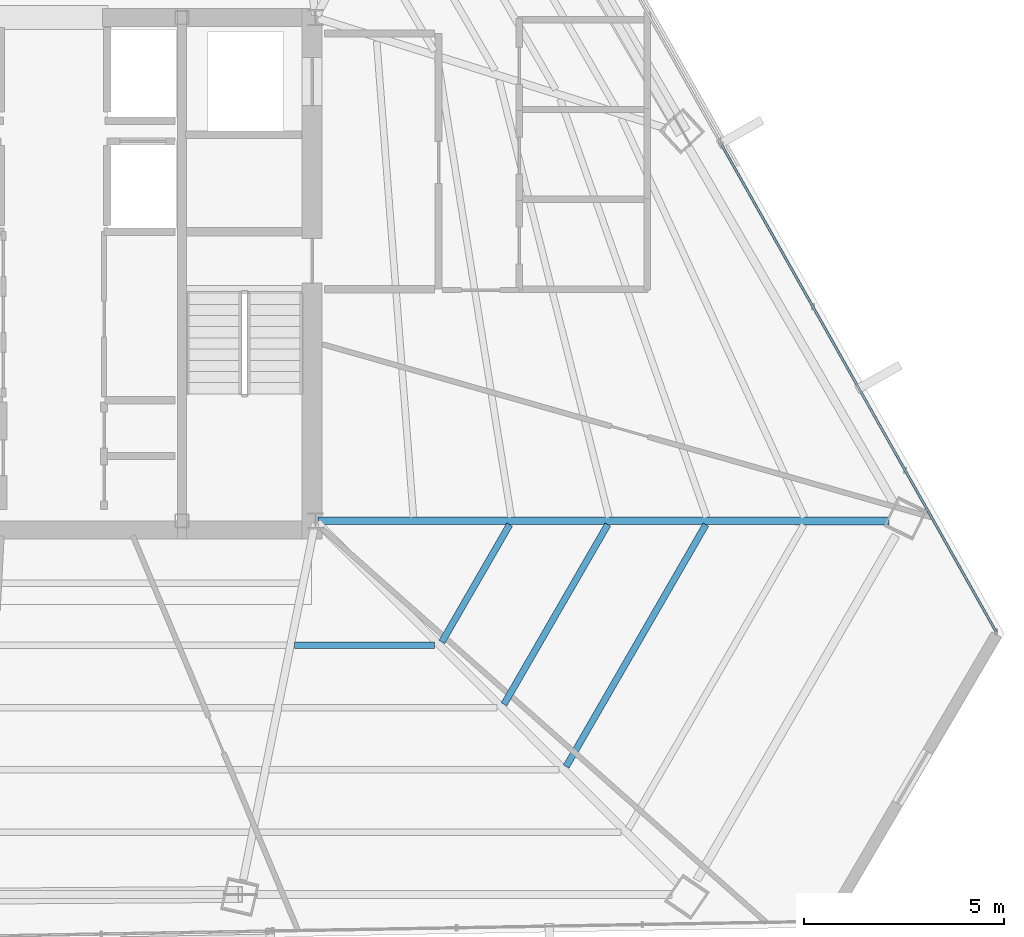
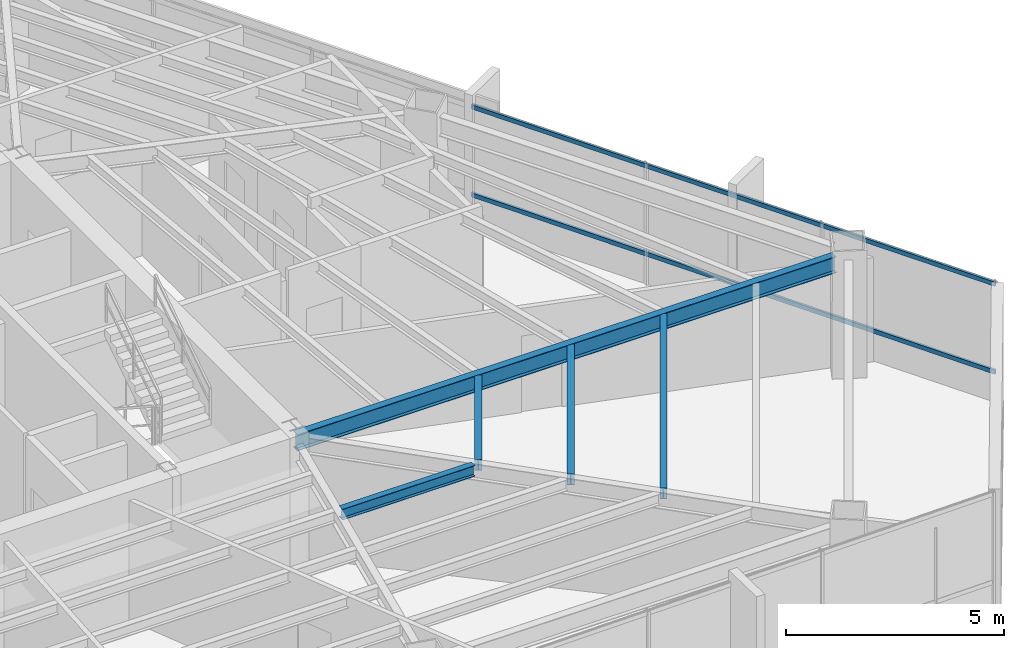
# One storey, part 21 of 42: 5 beams, 2 members, 1 element without a shape of its own.
"""IFC4 building model written with IfcOpenShell, lengths in metres."""

from ifc_helpers import new_model, si_unit, direction, frame, origin, origin_2d, place, context, subcontext, project, spatial, hollow_rectangle, i_section, extrude, source, transform, mapped, material, material_profile, profile_set, type_object, type_shapes, element, aggregate, save


model = new_model("IFC4")

# Units and contexts
model_context = context("Model", 3, precision=1e-05, world=origin(), true_north=direction((0.0, 1.0)))
body_context = subcontext(model_context, "Body", "Model", "MODEL_VIEW")
ifc_project = project(units=[si_unit("LENGTHUNIT", "METRE"), si_unit("AREAUNIT", "SQUARE_METRE"), si_unit("VOLUMEUNIT", "CUBIC_METRE"), si_unit("PLANEANGLEUNIT", "RADIAN"), si_unit("MASSUNIT", "GRAM", prefix="KILO")], contexts=[model_context])

# Site, building, storey
site_placement = place(None, origin())
site = spatial("IfcSite", under=ifc_project, at=site_placement, CompositionType="ELEMENT")
building_placement = place(site_placement, origin())
building = spatial("IfcBuilding", under=site, at=building_placement, Name="Caelisora Broadcast Tower", CompositionType="ELEMENT")
storey_placement = place(building_placement, frame((0.0, 0.0, 187.699951171875)))
storey = spatial("IfcBuildingStorey", under=building, at=storey_placement, Name="L49", CompositionType="ELEMENT", Elevation=187.699951171875)

# Beams
ifc_material_1 = material(Name="Steel Grade 350 (AS/NZS 3679.1)", Category="steel")
ifc_material_profile_1 = material_profile(ifc_material_1, i_section(OverallWidth=0.19091796875, OverallDepth=0.46044921875, WebThickness=0.010009765625, FlangeThickness=0.01611328125, at=origin_2d()), Name="Steel Grade 350 (AS/NZS 3679.1)")
ifc_profile_set_1 = profile_set([ifc_material_profile_1], Name="Steel Grade 350 (AS/NZS 3679.1)")
beam_type_1 = type_object("IfcBeamType", Name="PG06", PredefinedType="BEAM", material=ifc_profile_set_1)
shared_shape_1 = source(origin(), body_context, "Body", "SweptSolid", [
    extrude(i_section(OverallWidth=0.19091796875, OverallDepth=0.46044921875, WebThickness=0.010009765625, FlangeThickness=0.01611328125, at=origin_2d()), origin(), (0.0, 0.0, 1.0), 14.301513671875),
])
type_shapes(beam_type_1, [shared_shape_1])
beam_1_placement = place(storey_placement, frame((45.56005859375, 17.39990234375, 3.169921875), z_axis=(0.999999971441, -0.000238993489, 0.0), x_axis=(0.000238993489, 0.999999971441, 0.0)))
element("IfcBeam", 1, at=beam_1_placement, inside=storey, type_object=beam_type_1, Name="L49 beam PG06", PredefinedType="BEAM", context=body_context, shape_type="MappedRepresentation", body=[
    mapped(shared_shape_1, transform((0.0, 0.0, 0.0), scale=1.0)),
])
ifc_material_profile_2 = material_profile(ifc_material_1, i_section(OverallWidth=0.166015625, OverallDepth=0.30712890625, WebThickness=0.006591796875, FlangeThickness=0.01171875, at=origin_2d()), Name="Steel Grade 350 (AS/NZS 3679.1)")
ifc_profile_set_2 = profile_set([ifc_material_profile_2], Name="Steel Grade 350 (AS/NZS 3679.1)")
beam_type_2 = type_object("IfcBeamType", Name="SB03", PredefinedType="JOIST", material=ifc_profile_set_2)
shared_shape_2 = source(origin(), body_context, "Body", "SweptSolid", [
    extrude(i_section(OverallWidth=0.166015625, OverallDepth=0.30712890625, WebThickness=0.006591796875, FlangeThickness=0.01171875, at=origin_2d()), origin(), (0.0, 0.0, 1.0), 3.396728515625),
])
beam_2_placement = place(storey_placement, frame((48.660400390625, 14.3642578125, 3.246337890625), z_axis=(0.500027308624, 0.866009636569, 0.0), x_axis=(-0.866009636569, 0.500027308624, 0.0)))
element("IfcBeam", 2, at=beam_2_placement, inside=storey, type_object=beam_type_2, Name="L49 beam SB03", PredefinedType="JOIST", context=body_context, shape_type="MappedRepresentation", body=[
    mapped(shared_shape_2, transform((0.0, 0.0, 0.0), scale=1.0)),
])
shared_shape_3 = source(origin(), body_context, "Body", "SweptSolid", [
    extrude(i_section(OverallWidth=0.166015625, OverallDepth=0.30712890625, WebThickness=0.006591796875, FlangeThickness=0.01171875, at=origin_2d()), origin(), (0.0, 0.0, 1.0), 5.197021484375),
])
beam_3_placement = place(storey_placement, frame((50.216796875, 12.8046875, 3.246337890625), z_axis=(0.499984066975, 0.866034602525, 0.0), x_axis=(-0.866034602525, 0.499984066975, 0.0)))
element("IfcBeam", 3, at=beam_3_placement, inside=storey, type_object=beam_type_2, Name="L49 beam SB03", PredefinedType="JOIST", context=body_context, shape_type="MappedRepresentation", body=[
    mapped(shared_shape_3, transform((0.0, 0.0, 0.0), scale=1.0)),
])
shared_shape_4 = source(origin(), body_context, "Body", "SweptSolid", [
    extrude(i_section(OverallWidth=0.166015625, OverallDepth=0.30712890625, WebThickness=0.006591796875, FlangeThickness=0.01171875, at=origin_2d()), origin(), (0.0, 0.0, 1.0), 6.99658203125),
])
beam_4_placement = place(storey_placement, frame((51.773193359375, 11.245361328125, 3.246337890625), z_axis=(0.499993291712, 0.866029276782, 0.0), x_axis=(-0.866029276782, 0.499993291712, 0.0)))
element("IfcBeam", 4, at=beam_4_placement, inside=storey, type_object=beam_type_2, Name="L49 beam SB03", PredefinedType="JOIST", context=body_context, shape_type="MappedRepresentation", body=[
    mapped(shared_shape_4, transform((0.0, 0.0, 0.0), scale=1.0)),
])
shared_shape_5 = source(origin(), body_context, "Body", "SweptSolid", [
    extrude(i_section(OverallWidth=0.166015625, OverallDepth=0.30712890625, WebThickness=0.006591796875, FlangeThickness=0.01171875, at=origin_2d()), origin(), (0.0, 0.0, 1.0), 3.515380859375),
])
type_shapes(beam_type_2, [shared_shape_2, shared_shape_3, shared_shape_4, shared_shape_5])
beam_5_placement = place(storey_placement, frame((44.96533203125, 14.28125, 3.246337890625), z_axis=(1.0, 0.0, 0.0), x_axis=(0.0, 1.0, 0.0)))
element("IfcBeam", 5, at=beam_5_placement, inside=storey, type_object=beam_type_2, Name="L49 beam SB03", PredefinedType="JOIST", context=body_context, shape_type="MappedRepresentation", body=[
    mapped(shared_shape_5, transform((0.0, 0.0, 0.0), scale=1.0)),
])

# Curtain wall, members
ifc_material_2 = material(Name="Unitised Aluminium and Low-E Glass Curtain Wall", Category="glass")
curtain_wall_type = type_object("IfcCurtainWallType", Name="CW-Z4", PredefinedType="NOTDEFINED", material=ifc_material_2)
curtain_wall_placement = place(storey_placement, origin())
curtain_wall = element("IfcCurtainWall", 6, at=curtain_wall_placement, inside=storey, type_object=curtain_wall_type, Name="L49 curtain wall CW-Z4", PredefinedType="NOTDEFINED")
ifc_material_3 = material(Name="Aluminium 6063-T6 Anodised Terracotta Bronze", Category="aluminium")
ifc_material_profile_3 = material_profile(ifc_material_3, hollow_rectangle(XDim=0.06005859375, YDim=0.1201171875, WallThickness=0.0029296875, at=origin_2d()), Name="Aluminium 6063-T6 Anodised Terracotta Bronze")
ifc_profile_set_3 = profile_set([ifc_material_profile_3], Name="Aluminium 6063-T6 Anodised Terracotta Bronze")
member_type = type_object("IfcMemberType", Name="CWT-03", PredefinedType="USERDEFINED", material=ifc_profile_set_3)
shared_shape_6 = source(origin(), body_context, "Body", "SweptSolid", [
    extrude(hollow_rectangle(XDim=0.06005859375, YDim=0.1201171875, WallThickness=0.0029296875, at=origin_2d()), origin(), (0.0, 0.0, 1.0), 13.984619140625),
])
type_shapes(member_type, [shared_shape_6])
member_1_placement = place(storey_placement, frame((55.673095703125, 26.803955078125, 0.85009765625), z_axis=(0.49105425475, -0.871128990961, 0.0), x_axis=(0.871128990961, 0.49105425475, 0.0)))
member_1 = element("IfcMember", 7, at=member_1_placement, type_object=member_type, Name="L49-CW-B03 transom #1", ObjectType="TRANSOM", PredefinedType="USERDEFINED", context=body_context, shape_type="MappedRepresentation", body=[
    mapped(shared_shape_6, transform((0.0, 0.0, 0.0), scale=1.0)),
])
member_2_placement = place(storey_placement, frame((55.673095703125, 26.803955078125, 3.320068359375), z_axis=(0.49105425475, -0.871128990961, 0.0), x_axis=(0.871128990961, 0.49105425475, 0.0)))
member_2 = element("IfcMember", 8, at=member_2_placement, type_object=member_type, Name="L49-CW-B03 transom #2", ObjectType="TRANSOM", PredefinedType="USERDEFINED", context=body_context, shape_type="MappedRepresentation", body=[
    mapped(shared_shape_6, transform((0.0, 0.0, 0.0), scale=1.0)),
])
aggregate(curtain_wall, [member_1, member_2])

save(model, "model.ifc")
